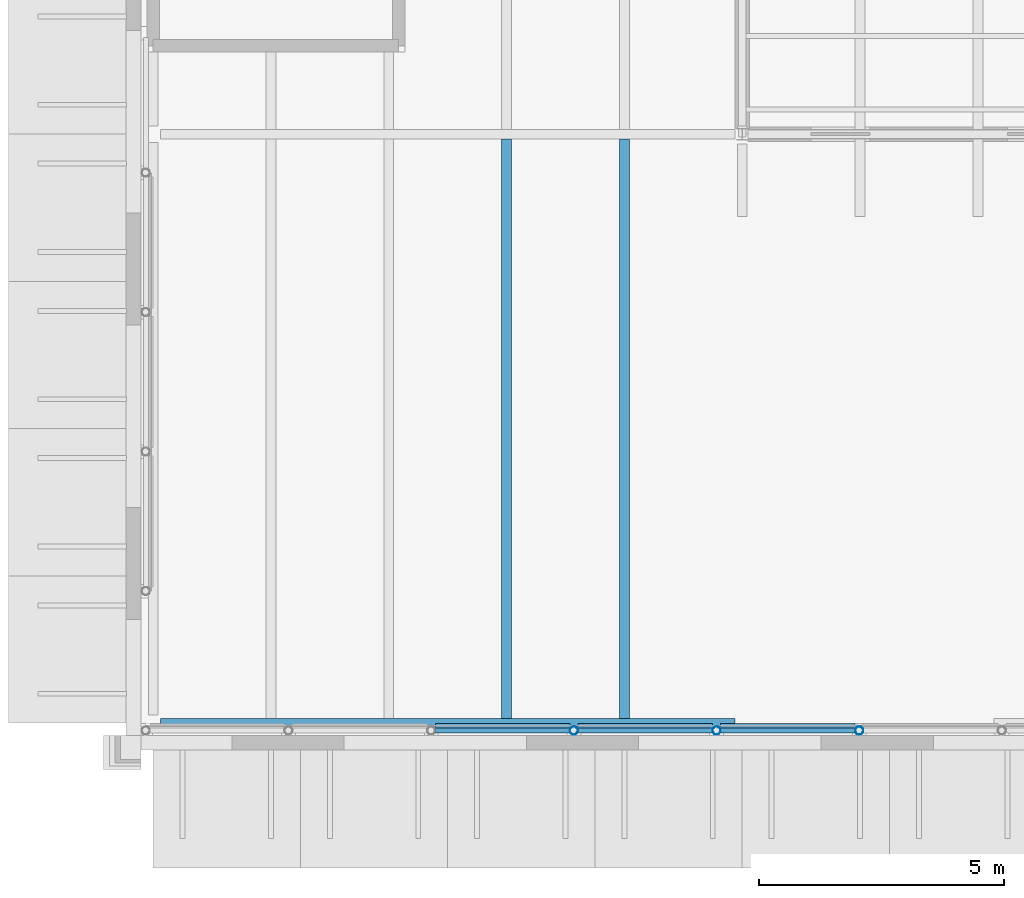
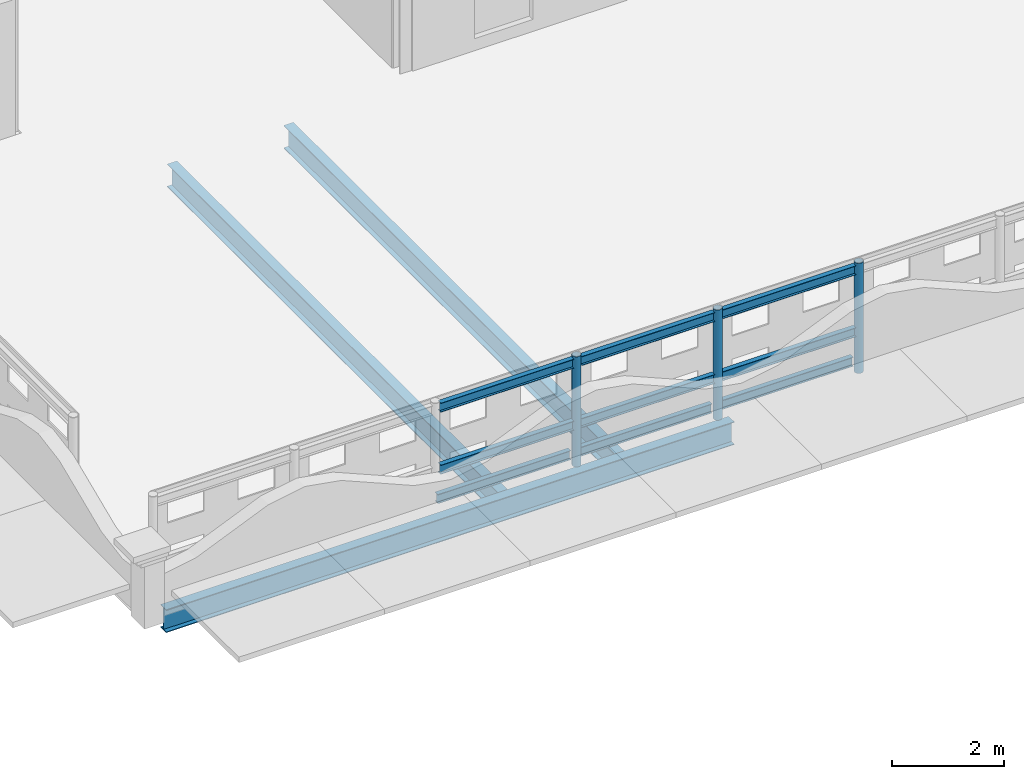
# One storey, part 22 of 91: 12 members, 3 beams.
"""IFC4 building model written with IfcOpenShell, lengths in metres."""

from ifc_helpers import new_model, si_unit, direction, frame, origin, origin_2d, place, context, subcontext, project, spatial, hollow_circle, i_section, extrude, material, material_profile, profile_set, type_object, element, save


model = new_model("IFC4")

# Units and contexts
model_context = context("Model", 3, precision=1e-05, world=origin(), true_north=direction((0.0, 1.0)))
body_context = subcontext(model_context, "Body", "Model", "MODEL_VIEW")
ifc_project = project(units=[si_unit("LENGTHUNIT", "METRE"), si_unit("AREAUNIT", "SQUARE_METRE"), si_unit("VOLUMEUNIT", "CUBIC_METRE"), si_unit("PLANEANGLEUNIT", "RADIAN"), si_unit("MASSUNIT", "GRAM", prefix="KILO")], contexts=[model_context])

# Site, building, storey
site_placement = place(None, origin())
site = spatial("IfcSite", under=ifc_project, at=site_placement, CompositionType="ELEMENT")
building_placement = place(site_placement, origin())
building = spatial("IfcBuilding", under=site, at=building_placement, Name="Ravi Spectrum Wholesale Market", CompositionType="ELEMENT")
storey_placement = place(building_placement, frame((0.0, 0.0, 16.199951171875)))
storey = spatial("IfcBuildingStorey", under=building, at=storey_placement, Name="ROOF PLANT LEVEL", CompositionType="ELEMENT", Elevation=16.199951171875)

# Members
ifc_material_1 = material(Name="Steel S355", Category="steel")
ifc_material_profile_1 = material_profile(ifc_material_1, hollow_circle(Radius=0.084228515625, WallThickness=0.00634765625, at=origin_2d()))
ifc_profile_set_1 = profile_set([ifc_material_profile_1], Name="Steel S355")
member_type_1 = type_object("IfcMemberType", Name="CHS 168.3x6.3 post", PredefinedType="POST", material=ifc_profile_set_1)
for number, where, z_axis, x_axis, name in (
    (1, (206.57080078125, 17.85009765625, 0.0), (0.0, 0.0, 1.0), (1.0, 0.0, 0.0), "CS-MB-ROOF-004"),
    (2, (209.4775390625, 17.85009765625, 0.0), (0.0, 0.0, 1.0), (1.0, 0.0, 0.0), "CS-MB-ROOF-005"),
    (3, (212.384521484375, 17.85009765625, 0.0), (0.0, 0.0, 1.0), (1.0, 0.0, 0.0), "CS-MB-ROOF-006"),
):
    element("IfcMember", number, at=place(storey_placement, frame(where, z_axis=z_axis, x_axis=x_axis)), inside=storey, type_object=member_type_1, Name=name, PredefinedType="POST", context=body_context, shape_type="SweptSolid", body=[
        extrude(hollow_circle(Radius=0.084228515625, WallThickness=0.00634765625, at=origin_2d()), origin(), (0.0, 0.0, 1.0), 2.400146484375),
    ])
ifc_material_2 = material(Name="Steel S355", Category="steel")
ifc_material_profile_2 = material_profile(ifc_material_2, i_section(OverallWidth=0.10009765625, OverallDepth=0.199951171875, WebThickness=0.005615234375, FlangeThickness=0.008544921875, at=origin_2d()))
ifc_profile_set_2 = profile_set([ifc_material_profile_2], Name="Steel S355")
member_type_2 = type_object("IfcMemberType", Name="IPE 200 purlin", PredefinedType="PURLIN", material=ifc_profile_set_2)
for number, where, z_axis, x_axis, name in (
    (4, (203.748046875, 17.85009765625, 0.900146484375), (1.0, 0.0, 0.0), (0.0, 1.0, 0.0), "CS-MB-ROOF-099"),
    (5, (203.748046875, 17.85009765625, 2.25), (1.0, 0.0, 0.0), (0.0, 1.0, 0.0), "CS-MB-ROOF-100"),
    (6, (203.748046875, 17.94921875, 0.199951171875), (1.0, 0.0, 0.0), (0.0, 1.0, 0.0), "CS-MB-ROOF-101"),
):
    element("IfcMember", number, at=place(storey_placement, frame(where, z_axis=z_axis, x_axis=x_axis)), inside=storey, type_object=member_type_2, Name=name, PredefinedType="PURLIN", context=body_context, shape_type="SweptSolid", body=[
        extrude(i_section(OverallWidth=0.10009765625, OverallDepth=0.199951171875, WebThickness=0.005615234375, FlangeThickness=0.008544921875, at=origin_2d()), origin(), (0.0, 0.0, 1.0), 2.738525390625),
    ])
for number, where, z_axis, x_axis, name in (
    (7, (206.65478515625, 17.85009765625, 0.900146484375), (1.0, 0.0, 0.0), (0.0, 1.0, 0.0), "CS-MB-ROOF-102"),
    (8, (206.65478515625, 17.85009765625, 2.25), (1.0, 0.0, 0.0), (0.0, 1.0, 0.0), "CS-MB-ROOF-103"),
    (9, (206.65478515625, 17.94921875, 0.199951171875), (1.0, 0.0, 0.0), (0.0, 1.0, 0.0), "CS-MB-ROOF-104"),
):
    element("IfcMember", number, at=place(storey_placement, frame(where, z_axis=z_axis, x_axis=x_axis)), inside=storey, type_object=member_type_2, Name=name, PredefinedType="PURLIN", context=body_context, shape_type="SweptSolid", body=[
        extrude(i_section(OverallWidth=0.10009765625, OverallDepth=0.199951171875, WebThickness=0.005615234375, FlangeThickness=0.008544921875, at=origin_2d()), origin(), (0.0, 0.0, 1.0), 2.73876953125),
    ])
for number, where, z_axis, x_axis, name in (
    (10, (209.561767578125, 17.85009765625, 0.900146484375), (1.0, 0.0, 0.0), (0.0, 1.0, 0.0), "CS-MB-ROOF-105"),
    (11, (209.561767578125, 17.85009765625, 2.25), (1.0, 0.0, 0.0), (0.0, 1.0, 0.0), "CS-MB-ROOF-106"),
    (12, (209.561767578125, 17.94921875, 0.199951171875), (1.0, 0.0, 0.0), (0.0, 1.0, 0.0), "CS-MB-ROOF-107"),
):
    element("IfcMember", number, at=place(storey_placement, frame(where, z_axis=z_axis, x_axis=x_axis)), inside=storey, type_object=member_type_2, Name=name, PredefinedType="PURLIN", context=body_context, shape_type="SweptSolid", body=[
        extrude(i_section(OverallWidth=0.10009765625, OverallDepth=0.199951171875, WebThickness=0.005615234375, FlangeThickness=0.008544921875, at=origin_2d()), origin(), (0.0, 0.0, 1.0), 2.738525390625),
    ])

# Beams
ifc_material_3 = material(Name="Steel S355", Category="steel")
ifc_material_profile_3 = material_profile(ifc_material_3, i_section(OverallWidth=0.199951171875, OverallDepth=0.5, WebThickness=0.01025390625, FlangeThickness=0.01611328125, at=origin_2d()))
ifc_profile_set_3 = profile_set([ifc_material_profile_3], Name="Steel S355")
beam_type = type_object("IfcBeamType", Name="IPE 500 beam", PredefinedType="BEAM", material=ifc_profile_set_3)
beam_placement = place(storey_placement, frame((198.14990234375, 18.0, -0.5), z_axis=(1.0, 0.0, 0.0), x_axis=(0.0, 1.0, 0.0)))
element("IfcBeam", 13, at=beam_placement, inside=storey, type_object=beam_type, Name="CS-BM-ROOF-001", PredefinedType="BEAM", context=body_context, shape_type="SweptSolid", body=[
    extrude(i_section(OverallWidth=0.199951171875, OverallDepth=0.5, WebThickness=0.01025390625, FlangeThickness=0.01611328125, at=origin_2d()), origin(), (0.0, 0.0, 1.0), 11.7001953125),
])
for number, where, z_axis, x_axis, name in (
    (14, (205.199951171875, 18.10009765625, -0.5), (0.0, 1.0, 0.0), (-1.0, 0.0, 0.0), "CS-BM-ROOF-070"),
    (15, (207.60009765625, 18.10009765625, -0.5), (0.0, 1.0, 0.0), (-1.0, 0.0, 0.0), "CS-BM-ROOF-071"),
):
    element("IfcBeam", number, at=place(storey_placement, frame(where, z_axis=z_axis, x_axis=x_axis)), inside=storey, type_object=beam_type, Name=name, PredefinedType="BEAM", context=body_context, shape_type="SweptSolid", body=[
        extrude(i_section(OverallWidth=0.199951171875, OverallDepth=0.5, WebThickness=0.01025390625, FlangeThickness=0.01611328125, at=origin_2d()), origin(), (0.0, 0.0, 1.0), 11.7998046875),
    ])

save(model, "model.ifc")
